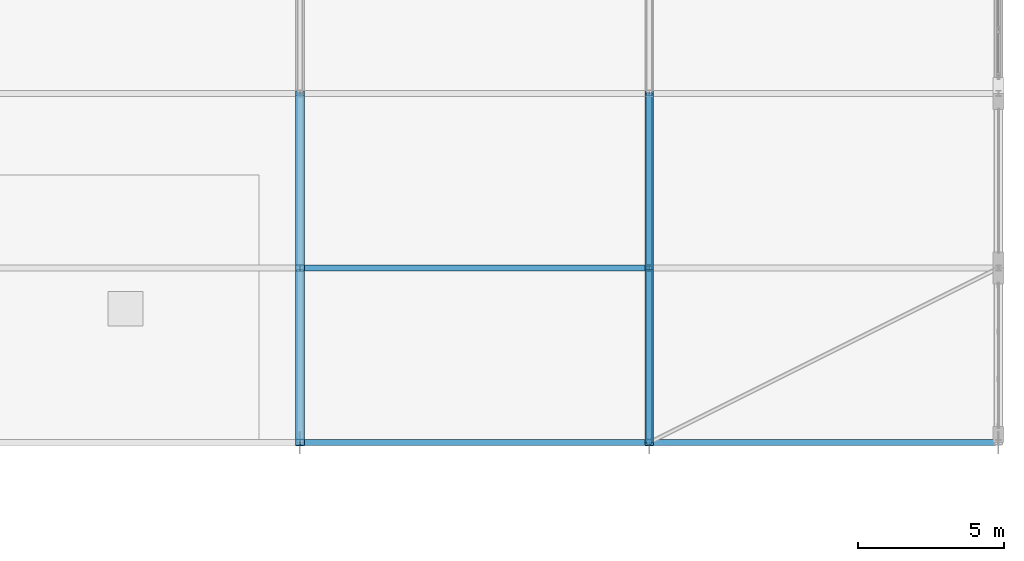
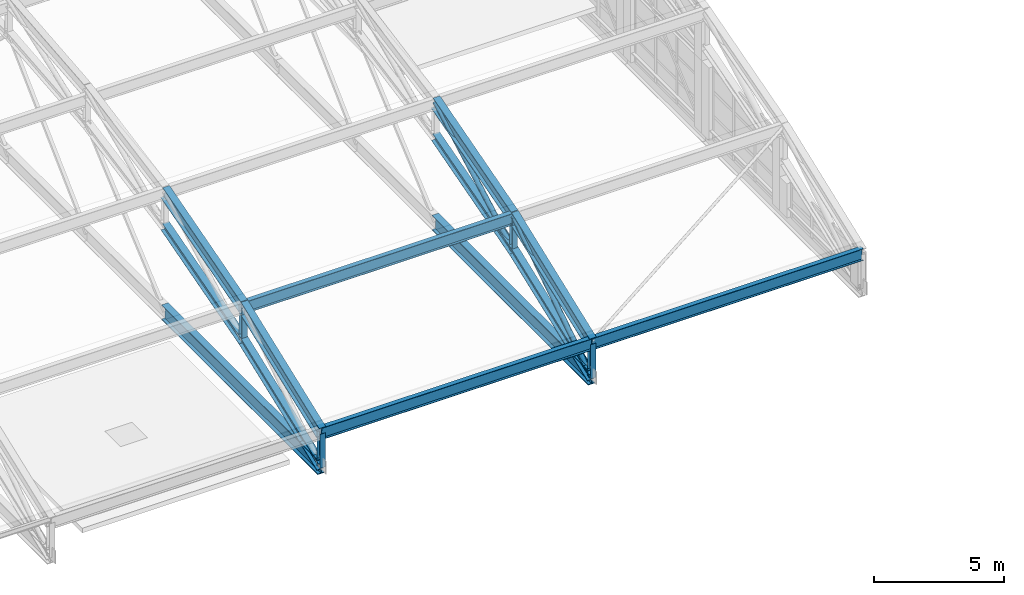
# One storey, part 129 of 204: 19 members.
"""IFC4 building model written with IfcOpenShell, lengths in metres."""

from ifc_helpers import new_model, si_unit, direction, frame, origin, origin_2d, place, context, subcontext, project, spatial, hollow_circle, i_section, extrude, material, material_profile, profile_set, type_object, element, save


model = new_model("IFC4")

# Units and contexts
model_context = context("Model", 3, precision=1e-05, world=origin(), true_north=direction((0.0, 1.0)))
body_context = subcontext(model_context, "Body", "Model", "MODEL_VIEW")
ifc_project = project(units=[si_unit("LENGTHUNIT", "METRE"), si_unit("AREAUNIT", "SQUARE_METRE"), si_unit("VOLUMEUNIT", "CUBIC_METRE"), si_unit("PLANEANGLEUNIT", "RADIAN"), si_unit("MASSUNIT", "GRAM", prefix="KILO")], contexts=[model_context])

# Site, building, storey
site_placement = place(None, origin())
site = spatial("IfcSite", under=ifc_project, at=site_placement, CompositionType="ELEMENT")
building_placement = place(site_placement, origin())
building = spatial("IfcBuilding", under=site, at=building_placement, Name="Zilviju Railside Exhibition Hall", CompositionType="ELEMENT")
storey_placement = place(building_placement, frame((0.0, 0.0, 21.0)))
storey = spatial("IfcBuildingStorey", under=building, at=storey_placement, Name="RF", CompositionType="ELEMENT", Elevation=21.0)

# Members
ifc_material = material(Name="Steel S355J2", Category="steel")
ifc_material_profile_1 = material_profile(ifc_material, hollow_circle(Radius=0.109619140625, WallThickness=0.010009765625, at=origin_2d()), Name="CHS 219.1x10.0")
ifc_profile_set_1 = profile_set([ifc_material_profile_1], Name="Steel S355J2")
member_type_1 = type_object("IfcMemberType", Name="TR-BR-CHS219", PredefinedType="BRACE", material=ifc_profile_set_1)
member_1_placement = place(storey_placement, frame((204.0, 84.0, -3.60009765625), z_axis=(0.0, 0.838995406637, 0.544138500423), x_axis=(-1.0, 0.0, 0.0)))
element("IfcMember", 1, at=member_1_placement, inside=storey, type_object=member_type_1, Name="V2 Parabolic Arch Web Diagonal X=204.0 P1", PredefinedType="BRACE", context=body_context, shape_type="SweptSolid", body=[
    extrude(hollow_circle(Radius=0.109619140625, WallThickness=0.010009765625, at=origin_2d()), origin(), (0.0, 0.0, 1.0), 7.1513671875),
])
member_2_placement = place(storey_placement, frame((204.0, 90.0, -1.30859375), z_axis=(0.0, 0.8750828143, 0.483973210122), x_axis=(-1.0, 0.0, 0.0)))
element("IfcMember", 2, at=member_2_placement, inside=storey, type_object=member_type_1, Name="V2 Parabolic Arch Web Diagonal X=204.0 P2", PredefinedType="BRACE", context=body_context, shape_type="SweptSolid", body=[
    extrude(hollow_circle(Radius=0.109619140625, WallThickness=0.010009765625, at=origin_2d()), origin(), (0.0, 0.0, 1.0), 6.8564453125),
])
ifc_material_profile_2 = material_profile(ifc_material, i_section(OverallWidth=0.300048828125, OverallDepth=0.39990234375, WebThickness=0.013427734375, FlangeThickness=0.02392578125, at=origin_2d()), Name="HEB 400")
ifc_profile_set_2 = profile_set([ifc_material_profile_2], Name="Steel S355J2")
member_type_2 = type_object("IfcMemberType", Name="TR-CH-HEB400", PredefinedType="CHORD", material=ifc_profile_set_2)
member_3_placement = place(storey_placement, frame((192.0, 84.0, -3.60009765625), z_axis=(0.0, 0.934187521086, 0.35678239229), x_axis=(-1.0, 0.0, 0.0)))
element("IfcMember", 3, at=member_3_placement, inside=storey, type_object=member_type_2, Name="V2 Parabolic Arch Bottom Chord X=192.0 P1", PredefinedType="CHORD", context=body_context, shape_type="SweptSolid", body=[
    extrude(i_section(OverallWidth=0.300048828125, OverallDepth=0.39990234375, WebThickness=0.013427734375, FlangeThickness=0.02392578125, at=origin_2d()), origin(), (0.0, 0.0, 1.0), 6.422607421875),
])
member_4_placement = place(storey_placement, frame((192.0, 90.0, -1.30859375), z_axis=(0.0, 0.961345133658, 0.275346207512), x_axis=(-1.0, 0.0, 0.0)))
element("IfcMember", 4, at=member_4_placement, inside=storey, type_object=member_type_2, Name="V2 Parabolic Arch Bottom Chord X=192.0 P2", PredefinedType="CHORD", context=body_context, shape_type="SweptSolid", body=[
    extrude(i_section(OverallWidth=0.300048828125, OverallDepth=0.39990234375, WebThickness=0.013427734375, FlangeThickness=0.02392578125, at=origin_2d()), origin(), (0.0, 0.0, 1.0), 6.2412109375),
])
member_5_placement = place(storey_placement, frame((204.0, 84.0, -3.60009765625), z_axis=(0.0, 0.934187521086, 0.35678239229), x_axis=(-1.0, 0.0, 0.0)))
element("IfcMember", 5, at=member_5_placement, inside=storey, type_object=member_type_2, Name="V2 Parabolic Arch Bottom Chord X=204.0 P1", PredefinedType="CHORD", context=body_context, shape_type="SweptSolid", body=[
    extrude(i_section(OverallWidth=0.300048828125, OverallDepth=0.39990234375, WebThickness=0.013427734375, FlangeThickness=0.02392578125, at=origin_2d()), origin(), (0.0, 0.0, 1.0), 6.422607421875),
])
member_6_placement = place(storey_placement, frame((204.0, 90.0, -1.30859375), z_axis=(0.0, 0.961345133658, 0.275346207512), x_axis=(-1.0, 0.0, 0.0)))
element("IfcMember", 6, at=member_6_placement, inside=storey, type_object=member_type_2, Name="V2 Parabolic Arch Bottom Chord X=204.0 P2", PredefinedType="CHORD", context=body_context, shape_type="SweptSolid", body=[
    extrude(i_section(OverallWidth=0.300048828125, OverallDepth=0.39990234375, WebThickness=0.013427734375, FlangeThickness=0.02392578125, at=origin_2d()), origin(), (0.0, 0.0, 1.0), 6.2412109375),
])
ifc_material_profile_3 = material_profile(ifc_material, i_section(OverallWidth=0.300048828125, OverallDepth=0.60009765625, WebThickness=0.015380859375, FlangeThickness=0.030029296875, at=origin_2d()), Name="HEB 600")
ifc_profile_set_3 = profile_set([ifc_material_profile_3], Name="Steel S355J2")
member_type_3 = type_object("IfcMemberType", Name="TR-CH-HEB600", PredefinedType="CHORD", material=ifc_profile_set_3)
member_7_placement = place(storey_placement, frame((192.0, 84.0, -2.0), z_axis=(0.0, 0.934200190194, 0.356749218138), x_axis=(-1.0, 0.0, 0.0)))
element("IfcMember", 7, at=member_7_placement, inside=storey, type_object=member_type_3, Name="V2 Parabolic Arch Top Chord X=192.0 P1", PredefinedType="CHORD", context=body_context, shape_type="SweptSolid", body=[
    extrude(i_section(OverallWidth=0.300048828125, OverallDepth=0.60009765625, WebThickness=0.015380859375, FlangeThickness=0.030029296875, at=origin_2d()), origin(), (0.0, 0.0, 1.0), 6.422607421875),
])
member_8_placement = place(storey_placement, frame((192.0, 90.0, 0.291259765625), z_axis=(0.0, 0.961345133658, 0.275346207512), x_axis=(-1.0, 0.0, 0.0)))
element("IfcMember", 8, at=member_8_placement, inside=storey, type_object=member_type_3, Name="V2 Parabolic Arch Top Chord X=192.0 P2", PredefinedType="CHORD", context=body_context, shape_type="SweptSolid", body=[
    extrude(i_section(OverallWidth=0.300048828125, OverallDepth=0.60009765625, WebThickness=0.015380859375, FlangeThickness=0.030029296875, at=origin_2d()), origin(), (0.0, 0.0, 1.0), 6.2412109375),
])
member_9_placement = place(storey_placement, frame((204.0, 84.0, -2.0), z_axis=(0.0, 0.934200190194, 0.356749218138), x_axis=(-1.0, 0.0, 0.0)))
element("IfcMember", 9, at=member_9_placement, inside=storey, type_object=member_type_3, Name="V2 Parabolic Arch Top Chord X=204.0 P1", PredefinedType="CHORD", context=body_context, shape_type="SweptSolid", body=[
    extrude(i_section(OverallWidth=0.300048828125, OverallDepth=0.60009765625, WebThickness=0.015380859375, FlangeThickness=0.030029296875, at=origin_2d()), origin(), (0.0, 0.0, 1.0), 6.422607421875),
])
member_10_placement = place(storey_placement, frame((204.0, 90.0, 0.291259765625), z_axis=(0.0, 0.961345133658, 0.275346207512), x_axis=(-1.0, 0.0, 0.0)))
element("IfcMember", 10, at=member_10_placement, inside=storey, type_object=member_type_3, Name="V2 Parabolic Arch Top Chord X=204.0 P2", PredefinedType="CHORD", context=body_context, shape_type="SweptSolid", body=[
    extrude(i_section(OverallWidth=0.300048828125, OverallDepth=0.60009765625, WebThickness=0.015380859375, FlangeThickness=0.030029296875, at=origin_2d()), origin(), (0.0, 0.0, 1.0), 6.2412109375),
])
ifc_material_profile_4 = material_profile(ifc_material, i_section(OverallWidth=0.239990234375, OverallDepth=0.22998046875, WebThickness=0.007568359375, FlangeThickness=0.011962890625, at=origin_2d()), Name="HEA 240")
ifc_profile_set_4 = profile_set([ifc_material_profile_4], Name="Steel S355J2")
member_type_4 = type_object("IfcMemberType", Name="TR-POST-HEA240", PredefinedType="POST", material=ifc_profile_set_4)
member_11_placement = place(storey_placement, frame((192.0, 84.0, -3.60009765625), z_axis=(0.0, 0.0, 1.0), x_axis=(1.0, 0.0, 0.0)))
element("IfcMember", 11, at=member_11_placement, inside=storey, type_object=member_type_4, Name="V2 Parabolic Arch Web Post X=192.0 N0", PredefinedType="POST", context=body_context, shape_type="SweptSolid", body=[
    extrude(i_section(OverallWidth=0.239990234375, OverallDepth=0.22998046875, WebThickness=0.007568359375, FlangeThickness=0.011962890625, at=origin_2d()), origin(), (0.0, 0.0, 1.0), 1.60009765625),
])
member_12_placement = place(storey_placement, frame((192.0, 90.0, -1.30859375), z_axis=(0.0, 0.0, 1.0), x_axis=(1.0, 0.0, 0.0)))
element("IfcMember", 12, at=member_12_placement, inside=storey, type_object=member_type_4, Name="V2 Parabolic Arch Web Post X=192.0 N1", PredefinedType="POST", context=body_context, shape_type="SweptSolid", body=[
    extrude(i_section(OverallWidth=0.239990234375, OverallDepth=0.22998046875, WebThickness=0.007568359375, FlangeThickness=0.011962890625, at=origin_2d()), origin(), (0.0, 0.0, 1.0), 1.599853515625),
])
member_13_placement = place(storey_placement, frame((204.0, 84.0, -3.60009765625), z_axis=(0.0, 0.0, 1.0), x_axis=(1.0, 0.0, 0.0)))
element("IfcMember", 13, at=member_13_placement, inside=storey, type_object=member_type_4, Name="V2 Parabolic Arch Web Post X=204.0 N0", PredefinedType="POST", context=body_context, shape_type="SweptSolid", body=[
    extrude(i_section(OverallWidth=0.239990234375, OverallDepth=0.22998046875, WebThickness=0.007568359375, FlangeThickness=0.011962890625, at=origin_2d()), origin(), (0.0, 0.0, 1.0), 1.60009765625),
])
member_14_placement = place(storey_placement, frame((204.0, 90.0, -1.30859375), z_axis=(0.0, 0.0, 1.0), x_axis=(1.0, 0.0, 0.0)))
element("IfcMember", 14, at=member_14_placement, inside=storey, type_object=member_type_4, Name="V2 Parabolic Arch Web Post X=204.0 N1", PredefinedType="POST", context=body_context, shape_type="SweptSolid", body=[
    extrude(i_section(OverallWidth=0.239990234375, OverallDepth=0.22998046875, WebThickness=0.007568359375, FlangeThickness=0.011962890625, at=origin_2d()), origin(), (0.0, 0.0, 1.0), 1.599853515625),
])
ifc_material_profile_5 = material_profile(ifc_material, i_section(OverallWidth=0.2099609375, OverallDepth=0.550048828125, WebThickness=0.010986328125, FlangeThickness=0.01708984375, at=origin_2d()), Name="IPE 550")
ifc_profile_set_5 = profile_set([ifc_material_profile_5], Name="Steel S355J2")
member_type_5 = type_object("IfcMemberType", Name="TR-PUR-IPE550", PredefinedType="PURLIN", material=ifc_profile_set_5)
for number, where, z_axis, x_axis, name in (
    (15, (192.0, 84.0, -2.011962890625), (1.0, 0.0, 0.0), (0.0, 1.0, 0.0), "V2 Barrel Vault Roof Purlin Y=84.0 (192.0..204.0)"),
    (16, (192.0, 90.0, 0.239501953125), (1.0, 0.0, 0.0), (0.0, 1.0, 0.0), "V2 Barrel Vault Roof Purlin Y=90.0 (192.0..204.0)"),
    (17, (204.0, 84.0, -2.011962890625), (1.0, 0.0, 0.0), (0.0, 1.0, 0.0), "V2 Barrel Vault Roof Purlin Y=84.0 (204.0..216.0)"),
):
    element("IfcMember", number, at=place(storey_placement, frame(where, z_axis=z_axis, x_axis=x_axis)), inside=storey, type_object=member_type_5, Name=name, PredefinedType="PURLIN", context=body_context, shape_type="SweptSolid", body=[
        extrude(i_section(OverallWidth=0.2099609375, OverallDepth=0.550048828125, WebThickness=0.010986328125, FlangeThickness=0.01708984375, at=origin_2d()), origin(), (0.0, 0.0, 1.0), 12.0),
    ])
ifc_material_profile_6 = material_profile(ifc_material, i_section(OverallWidth=0.300048828125, OverallDepth=0.699951171875, WebThickness=0.01708984375, FlangeThickness=0.031982421875, at=origin_2d()), Name="HEB 700")
ifc_profile_set_6 = profile_set([ifc_material_profile_6], Name="Steel S355J2")
member_type_6 = type_object("IfcMemberType", Name="TR-TIE-HEB700", PredefinedType="CHORD", material=ifc_profile_set_6)
for number, where, z_axis, x_axis, name in (
    (18, (192.0, 84.0, -3.60009765625), (0.0, 1.0, 0.0), (-1.0, 0.0, 0.0), "V2 Arch Tie Member X=192.0"),
    (19, (204.0, 84.0, -3.60009765625), (0.0, 1.0, 0.0), (-1.0, 0.0, 0.0), "V2 Arch Tie Member X=204.0"),
):
    element("IfcMember", number, at=place(storey_placement, frame(where, z_axis=z_axis, x_axis=x_axis)), inside=storey, type_object=member_type_6, Name=name, PredefinedType="CHORD", context=body_context, shape_type="SweptSolid", body=[
        extrude(i_section(OverallWidth=0.300048828125, OverallDepth=0.699951171875, WebThickness=0.01708984375, FlangeThickness=0.031982421875, at=origin_2d()), origin(), (0.0, 0.0, 1.0), 12.0),
    ])

save(model, "model.ifc")
